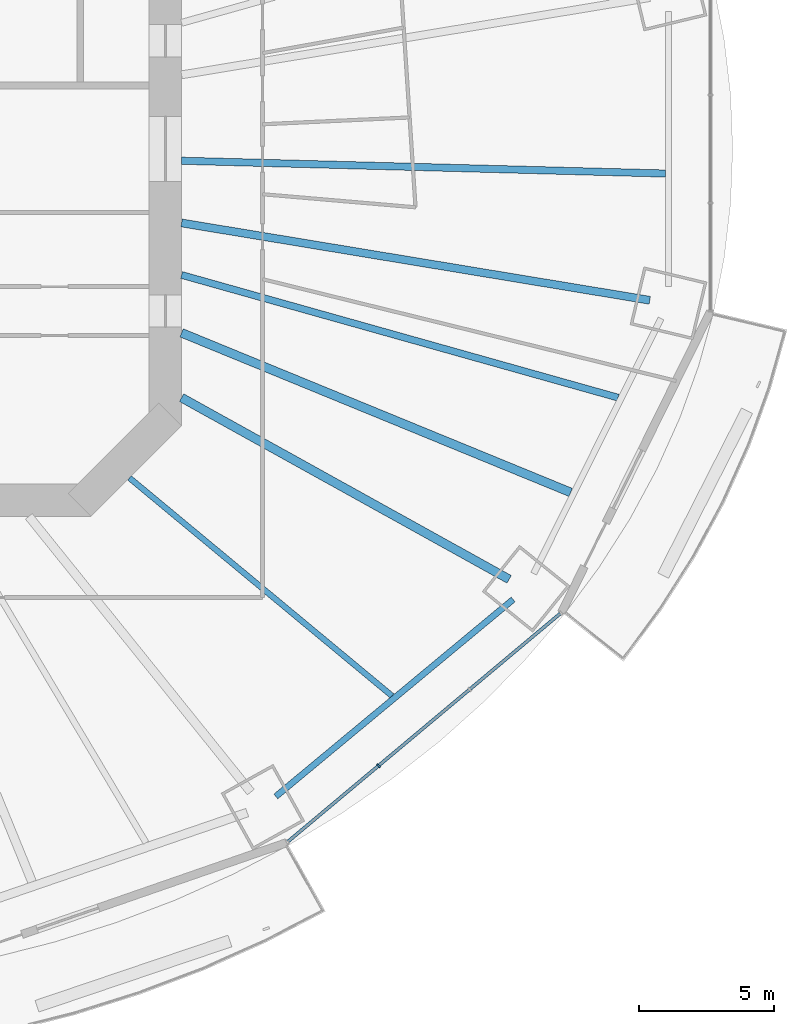
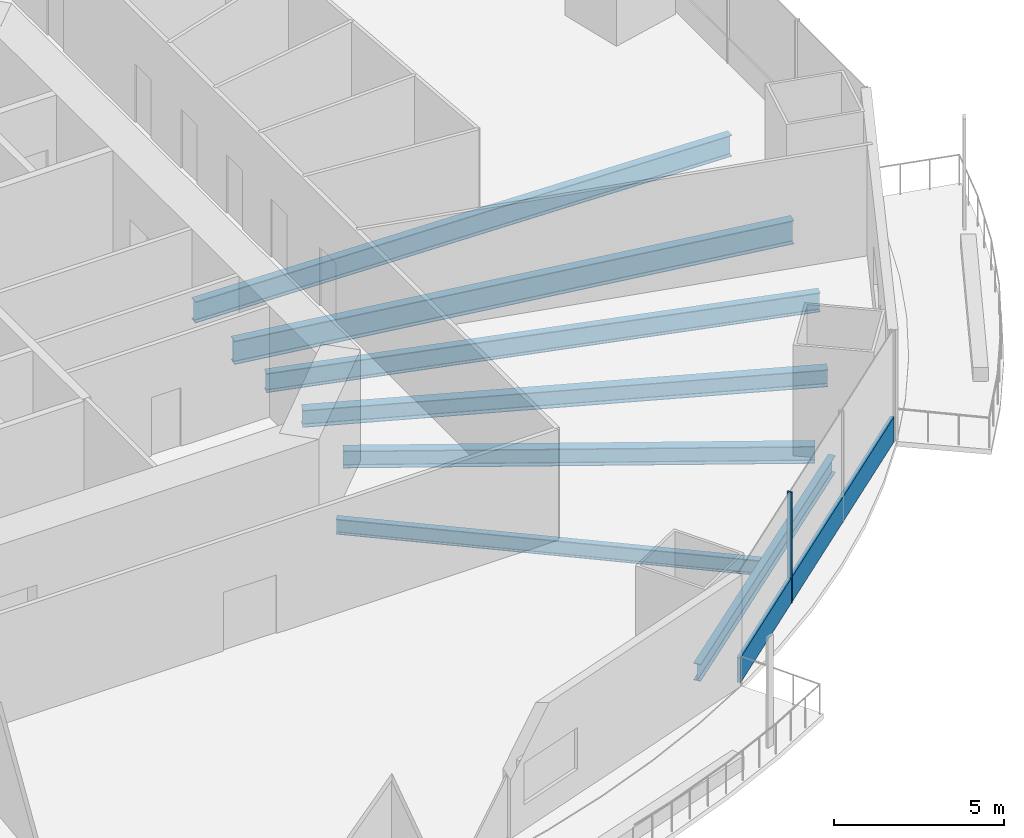
# One storey, part 5 of 23: 7 beams, 2 members, 1 element without a shape of its own.
"""IFC4 building model written with IfcOpenShell, lengths in metres."""

from ifc_helpers import new_model, si_unit, direction, frame, origin, origin_2d, place, context, subcontext, project, spatial, rectangle, i_section, extrude, material, material_profile, profile_set, type_object, element, aggregate, save


model = new_model("IFC4")

# Units and contexts
model_context = context("Model", 3, precision=1e-05, world=origin(), true_north=direction((0.0, 1.0)))
body_context = subcontext(model_context, "Body", "Model", "MODEL_VIEW")
ifc_project = project(units=[si_unit("LENGTHUNIT", "METRE"), si_unit("AREAUNIT", "SQUARE_METRE"), si_unit("VOLUMEUNIT", "CUBIC_METRE"), si_unit("PLANEANGLEUNIT", "RADIAN"), si_unit("MASSUNIT", "GRAM", prefix="KILO")], contexts=[model_context])

# Site, building, storey
site_placement = place(None, origin())
site = spatial("IfcSite", under=ifc_project, at=site_placement, CompositionType="ELEMENT")
building_placement = place(site_placement, origin())
building = spatial("IfcBuilding", under=site, at=building_placement, Name="Marenthal Gate Tower", CompositionType="ELEMENT")
storey_placement = place(building_placement, frame((0.0, 0.0, 37.14990234375)))
storey = spatial("IfcBuildingStorey", under=building, at=storey_placement, Name="L05", CompositionType="ELEMENT", Elevation=37.14990234375)

# Curtain wall, members
ifc_material_1 = material(Name="Aluminium and glass", Category="aluminium")
curtain_wall_type = type_object("IfcCurtainWallType", Name="Curtain wall typical low", PredefinedType="NOTDEFINED", material=ifc_material_1)
curtain_wall_placement = place(storey_placement, origin())
curtain_wall = element("IfcCurtainWall", 1, at=curtain_wall_placement, inside=storey, type_object=curtain_wall_type, Name="Curtain wall L05 bay 14", PredefinedType="NOTDEFINED")
ifc_material_2 = material(Name="Aluminium", Category="aluminium")
ifc_material_profile_1 = material_profile(ifc_material_2, rectangle(XDim=0.159912109375, YDim=0.06005859375, at=origin_2d()), Name="60x160 aluminium mullion")
ifc_profile_set_1 = profile_set([ifc_material_profile_1], Name="Aluminium")
member_type_1 = type_object("IfcMemberType", Name="Mullion 60x160 typical low", PredefinedType="MULLION", material=ifc_profile_set_1)
member_1_placement = place(storey_placement, frame((23.888916015625, -22.829345703125, 0.0), z_axis=(0.0, 0.0, 1.0), x_axis=(-0.641982192245, 0.76671954771, 0.0)))
member_1 = element("IfcMember", 2, at=member_1_placement, type_object=member_type_1, Name="Mullion L05 bay 14.2", PredefinedType="MULLION", context=body_context, shape_type="SweptSolid", body=[
    extrude(rectangle(XDim=0.159912109375, YDim=0.06005859375, at=origin_2d()), origin(), (0.0, 0.0, 1.0), 3.97021484375),
])
ifc_material_3 = material(Name="Aluminium", Category="aluminium")
ifc_material_profile_2 = material_profile(ifc_material_3, rectangle(XDim=0.1201171875, YDim=0.89990234375, at=origin_2d()), Name="120x900 aluminium transom")
ifc_profile_set_2 = profile_set([ifc_material_profile_2], Name="Aluminium")
member_type_2 = type_object("IfcMemberType", Name="Transom 120x900 typical low", PredefinedType="USERDEFINED", material=ifc_profile_set_2)
member_2_placement = place(storey_placement, frame((20.535400390625, -25.63720703125, 0.4501953125), z_axis=(0.766726434385, 0.641973967397, 0.0), x_axis=(-0.641973967397, 0.766726434385, 0.0)))
member_2 = element("IfcMember", 3, at=member_2_placement, type_object=member_type_2, Name="Transom L05 bay 14", ObjectType="TRANSOM", PredefinedType="USERDEFINED", context=body_context, shape_type="SweptSolid", body=[
    extrude(rectangle(XDim=0.1201171875, YDim=0.89990234375, at=origin_2d()), origin(), (0.0, 0.0, 1.0), 13.151123046875),
])
aggregate(curtain_wall, [member_1, member_2])

# Beams
ifc_material_4 = material(Name="Steel S355", Category="steel")
ifc_material_profile_3 = material_profile(ifc_material_4, i_section(OverallWidth=0.2119140625, OverallDepth=0.5439453125, WebThickness=0.01318359375, FlangeThickness=0.021240234375, FilletRadius=0.0126953125, at=origin_2d()), Name="W530X123")
ifc_profile_set_3 = profile_set([ifc_material_profile_3], Name="Steel S355")
beam_type_1 = type_object("IfcBeamType", Name="W530X123 beam", PredefinedType="BEAM", material=ifc_profile_set_3)
beam_1_placement = place(storey_placement, frame((24.3916015625, -20.245849609375, -0.451904296875), z_axis=(-0.769466511284, 0.638687159737, 0.0), x_axis=(-0.638687159737, -0.769466511284, 0.0)))
element("IfcBeam", 4, at=beam_1_placement, inside=storey, type_object=beam_type_1, Name="BM-L05-37", PredefinedType="BEAM", context=body_context, shape_type="SweptSolid", body=[
    extrude(i_section(OverallWidth=0.2119140625, OverallDepth=0.5439453125, WebThickness=0.01318359375, FlangeThickness=0.021240234375, FilletRadius=0.0126953125, at=origin_2d()), origin(), (0.0, 0.0, 1.0), 12.6328125),
])
ifc_material_5 = material(Name="Steel S355", Category="steel")
ifc_material_profile_4 = material_profile(ifc_material_5, i_section(OverallWidth=0.22900390625, OverallDepth=0.612060546875, WebThickness=0.011962890625, FlangeThickness=0.01953125, FilletRadius=0.0126953125, at=origin_2d()), Name="W610X125")
ifc_profile_set_4 = profile_set([ifc_material_profile_4], Name="Steel S355")
beam_type_2 = type_object("IfcBeamType", Name="W610X125 beam", PredefinedType="BEAM", material=ifc_profile_set_4)
beam_2_placement = place(storey_placement, frame((20.088134765625, -23.966552734375, -0.48583984375), z_axis=(0.769467989353, 0.63868537901, 0.0), x_axis=(-0.63868537901, 0.769467989353, 0.0)))
element("IfcBeam", 5, at=beam_2_placement, inside=storey, type_object=beam_type_2, Name="BM-L05-54", PredefinedType="BEAM", context=body_context, shape_type="SweptSolid", body=[
    extrude(i_section(OverallWidth=0.22900390625, OverallDepth=0.612060546875, WebThickness=0.011962890625, FlangeThickness=0.01953125, FilletRadius=0.0126953125, at=origin_2d()), origin(), (0.0, 0.0, 1.0), 11.415283203125),
])
ifc_material_6 = material(Name="Steel S355", Category="steel")
ifc_material_profile_5 = material_profile(ifc_material_6, i_section(OverallWidth=0.324951171875, OverallDepth=0.612060546875, WebThickness=0.0126953125, FlangeThickness=0.01904296875, FilletRadius=0.0126953125, at=origin_2d()), Name="W610X155")
ifc_profile_set_5 = profile_set([ifc_material_profile_5], Name="Steel S355")
beam_type_3 = type_object("IfcBeamType", Name="W610X155 beam", PredefinedType="BEAM", material=ifc_profile_set_5)
beam_3_placement = place(storey_placement, frame((28.72314453125, -15.929931640625, -0.48583984375), z_axis=(-0.874513423091, 0.485001312198, 0.0), x_axis=(-0.485001312198, -0.874513423091, 0.0)))
element("IfcBeam", 6, at=beam_3_placement, inside=storey, type_object=beam_type_3, Name="BM-L05-15", PredefinedType="BEAM", context=body_context, shape_type="SweptSolid", body=[
    extrude(i_section(OverallWidth=0.324951171875, OverallDepth=0.612060546875, WebThickness=0.0126953125, FlangeThickness=0.01904296875, FilletRadius=0.0126953125, at=origin_2d()), origin(), (0.0, 0.0, 1.0), 13.862548828125),
])
beam_4_placement = place(storey_placement, frame((31.001708984375, -12.7138671875, -0.48583984375), z_axis=(-0.925221568218, 0.379427265367, 0.0), x_axis=(-0.379427265367, -0.925221568218, 0.0)))
element("IfcBeam", 7, at=beam_4_placement, inside=storey, type_object=beam_type_3, Name="BM-L05-38", PredefinedType="BEAM", context=body_context, shape_type="SweptSolid", body=[
    extrude(i_section(OverallWidth=0.324951171875, OverallDepth=0.612060546875, WebThickness=0.0126953125, FlangeThickness=0.01904296875, FilletRadius=0.0126953125, at=origin_2d()), origin(), (0.0, 0.0, 1.0), 15.565673828125),
])
ifc_material_7 = material(Name="Steel S355", Category="steel")
ifc_material_profile_6 = material_profile(ifc_material_7, i_section(OverallWidth=0.257080078125, OverallDepth=0.693115234375, WebThickness=0.014404296875, FlangeThickness=0.023681640625, FilletRadius=0.015380859375, at=origin_2d()), Name="W690X170")
ifc_profile_set_6 = profile_set([ifc_material_profile_6], Name="Steel S355")
beam_type_4 = type_object("IfcBeamType", Name="W690X170 beam", PredefinedType="BEAM", material=ifc_profile_set_6)
beam_5_placement = place(storey_placement, frame((32.75244140625, -9.205322265625, -0.5263671875), z_axis=(-0.962698331576, 0.270577017467, 0.0), x_axis=(-0.270577017467, -0.962698331576, 0.0)))
element("IfcBeam", 8, at=beam_5_placement, inside=storey, type_object=beam_type_4, Name="BM-L05-39", PredefinedType="BEAM", context=body_context, shape_type="SweptSolid", body=[
    extrude(i_section(OverallWidth=0.257080078125, OverallDepth=0.693115234375, WebThickness=0.014404296875, FlangeThickness=0.023681640625, FilletRadius=0.015380859375, at=origin_2d()), origin(), (0.0, 0.0, 1.0), 16.7783203125),
])
ifc_material_8 = material(Name="Steel S355", Category="steel")
ifc_material_profile_7 = material_profile(ifc_material_8, i_section(OverallWidth=0.26708984375, OverallDepth=0.761962890625, WebThickness=0.014404296875, FlangeThickness=0.021484375, FilletRadius=0.0166015625, at=origin_2d()), Name="W760X173")
ifc_profile_set_7 = profile_set([ifc_material_profile_7], Name="Steel S355")
beam_type_5 = type_object("IfcBeamType", Name="W760X173 beam", PredefinedType="BEAM", material=ifc_profile_set_7)
beam_6_placement = place(storey_placement, frame((34.515625, -0.911865234375, -0.560791015625), z_axis=(-0.999651085361, 0.026414154078, 0.0), x_axis=(-0.026414154078, -0.999651085361, 0.0)))
element("IfcBeam", 9, at=beam_6_placement, inside=storey, type_object=beam_type_5, Name="BM-L05-40", PredefinedType="BEAM", context=body_context, shape_type="SweptSolid", body=[
    extrude(i_section(OverallWidth=0.26708984375, OverallDepth=0.761962890625, WebThickness=0.014404296875, FlangeThickness=0.021484375, FilletRadius=0.0166015625, at=origin_2d()), origin(), (0.0, 0.0, 1.0), 17.921875),
])
ifc_material_9 = material(Name="Steel S355", Category="steel")
ifc_material_profile_8 = material_profile(ifc_material_9, i_section(OverallWidth=0.2919921875, OverallDepth=0.841064453125, WebThickness=0.0146484375, FlangeThickness=0.021728515625, FilletRadius=0.017822265625, at=origin_2d()), Name="W840X193")
ifc_profile_set_8 = profile_set([ifc_material_profile_8], Name="Steel S355")
beam_type_6 = type_object("IfcBeamType", Name="W840X193 beam", PredefinedType="BEAM", material=ifc_profile_set_8)
beam_7_placement = place(storey_placement, frame((33.927978515625, -5.6015625, -0.600341796875), z_axis=(-0.986643376601, 0.162895203762, 0.0), x_axis=(-0.162895203762, -0.986643376601, 0.0)))
element("IfcBeam", 10, at=beam_7_placement, inside=storey, type_object=beam_type_6, Name="BM-L05-16", PredefinedType="BEAM", context=body_context, shape_type="SweptSolid", body=[
    extrude(i_section(OverallWidth=0.2919921875, OverallDepth=0.841064453125, WebThickness=0.0146484375, FlangeThickness=0.021728515625, FilletRadius=0.017822265625, at=origin_2d()), origin(), (0.0, 0.0, 1.0), 17.5625),
])

save(model, "model.ifc")
